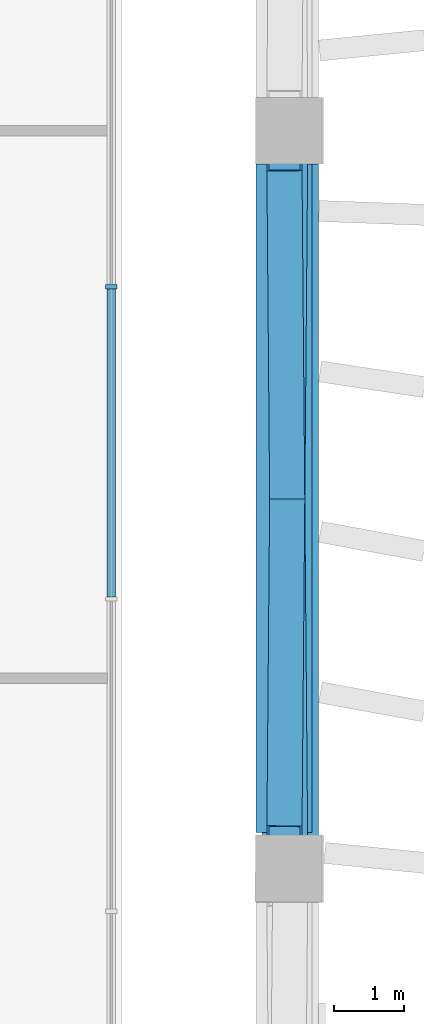
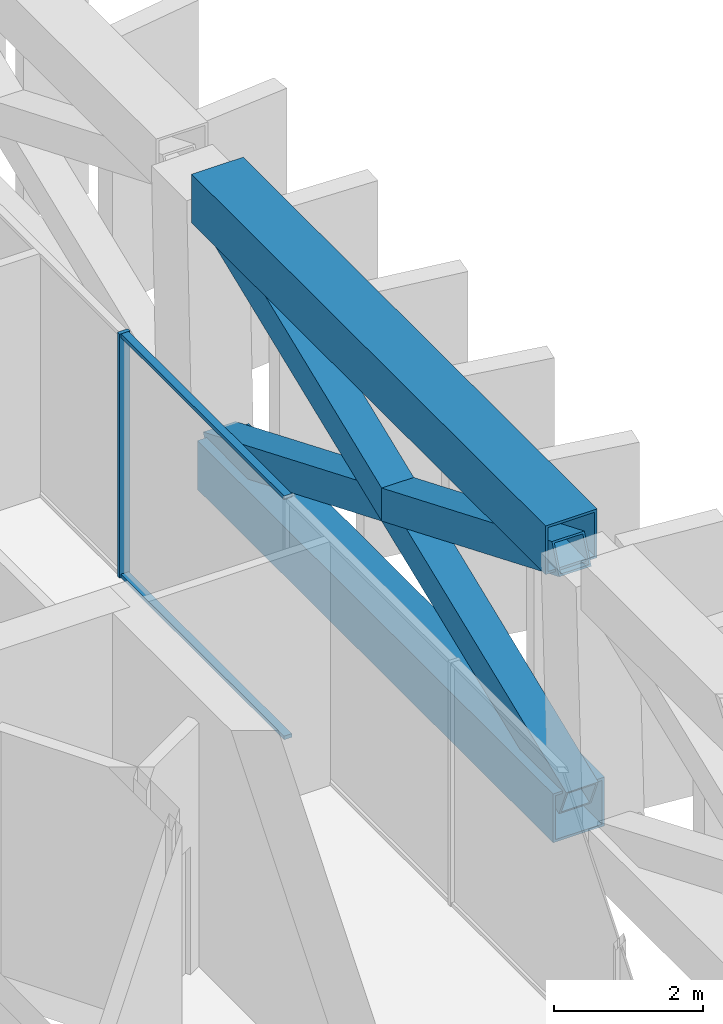
# One storey, part 4 of 15: 7 members, 1 element without a shape of its own.
"""IFC4 building model written with IfcOpenShell, lengths in metres."""

from ifc_helpers import new_model, si_unit, direction, frame, origin, origin_2d, place, context, subcontext, project, spatial, rectangle, hollow_rectangle, extrude, material, layer, layer_set, material_profile, profile_set, type_object, element, aggregate, save


model = new_model("IFC4")

# Units and contexts
model_context = context("Model", 3, precision=1e-05, world=origin(), true_north=direction((0.0, 1.0)))
body_context = subcontext(model_context, "Body", "Model", "MODEL_VIEW")
ifc_project = project(units=[si_unit("LENGTHUNIT", "METRE"), si_unit("AREAUNIT", "SQUARE_METRE"), si_unit("VOLUMEUNIT", "CUBIC_METRE"), si_unit("PLANEANGLEUNIT", "RADIAN"), si_unit("MASSUNIT", "GRAM", prefix="KILO")], contexts=[model_context])

# Site, building, storey
site_placement = place(None, origin())
site = spatial("IfcSite", under=ifc_project, at=site_placement, CompositionType="ELEMENT")
building_placement = place(site_placement, origin())
building = spatial("IfcBuilding", under=site, at=building_placement, Name="Jabali Bay Hotel Tower and Convention Centre", CompositionType="ELEMENT")
storey_placement = place(building_placement, frame((0.0, 0.0, 201.39990234375)))
storey = spatial("IfcBuildingStorey", under=building, at=storey_placement, Name="L49", CompositionType="ELEMENT", Elevation=201.39990234375)

# Members
ifc_material_1 = material(Name="Steel Q420GJC", Category="steel")
ifc_material_profile_1 = material_profile(ifc_material_1, hollow_rectangle(XDim=0.5, YDim=0.5, WallThickness=0.030029296875, at=origin_2d()), Name="Belt brace 500x500x30")
ifc_profile_set_1 = profile_set([ifc_material_profile_1], Name="Steel Q420GJC")
member_type_1 = type_object("IfcMemberType", Name="Belt brace 500x500x30", PredefinedType="BRACE", material=ifc_profile_set_1)
member_1_placement = place(storey_placement, frame((95.585693359375, 69.962890625, 0.198974609375), z_axis=(-0.00779565021, 0.922430320671, 0.38608487583), x_axis=(-0.999964290457, -0.008450905891, 0.0)))
element("IfcMember", 1, at=member_1_placement, inside=storey, type_object=member_type_1, Name="Belt brace T4 F0.2-F0.3 x1", PredefinedType="BRACE", context=body_context, shape_type="SweptSolid", body=[
    extrude(hollow_rectangle(XDim=0.5, YDim=0.5, WallThickness=0.030029296875, at=origin_2d()), origin(), (0.0, 0.0, 1.0), 10.3662109375),
])
member_2_placement = place(storey_placement, frame((95.585693359375, 79.52490234375, 0.19970703125), z_axis=(-0.007828722091, -0.921802461556, 0.387580872826), x_axis=(0.999963937773, -0.008492535111, 0.0)))
element("IfcMember", 2, at=member_2_placement, inside=storey, type_object=member_type_1, Name="Belt brace T4 F0.2-F0.3 x2", PredefinedType="BRACE", context=body_context, shape_type="SweptSolid", body=[
    extrude(hollow_rectangle(XDim=0.5, YDim=0.5, WallThickness=0.030029296875, at=origin_2d()), origin(), (0.0, 0.0, 1.0), 10.322265625),
])
ifc_material_profile_2 = material_profile(ifc_material_1, hollow_rectangle(XDim=0.800048828125, YDim=0.800048828125, WallThickness=0.0400390625, at=origin_2d()), Name="Belt chord 800x800x40")
ifc_profile_set_2 = profile_set([ifc_material_profile_2], Name="Steel Q420GJC")
member_type_2 = type_object("IfcMemberType", Name="Belt chord 800x800x40", PredefinedType="CHORD", material=ifc_profile_set_2)
member_3_placement = place(storey_placement, frame((95.589599609375, 69.962890625, 0.0), z_axis=(0.0, 1.0, 0.0), x_axis=(-1.0, 0.0, 0.0)))
element("IfcMember", 3, at=member_3_placement, inside=storey, type_object=member_type_2, Name="Belt chord T4 F0.2-F0.3", PredefinedType="CHORD", context=body_context, shape_type="SweptSolid", body=[
    extrude(hollow_rectangle(XDim=0.800048828125, YDim=0.800048828125, WallThickness=0.0400390625, at=origin_2d()), origin(), (0.0, 0.0, 1.0), 9.56201171875),
])
member_4_placement = place(storey_placement, frame((95.500732421875, 70.009765625, 4.400146484375), z_axis=(0.0, 1.0, 0.0), x_axis=(-1.0, 0.0, 0.0)))
element("IfcMember", 4, at=member_4_placement, inside=storey, type_object=member_type_2, Name="Belt chord T4 F0.2-F0.3", PredefinedType="CHORD", context=body_context, shape_type="SweptSolid", body=[
    extrude(hollow_rectangle(XDim=0.800048828125, YDim=0.800048828125, WallThickness=0.0400390625, at=origin_2d()), origin(), (0.0, 0.0, 1.0), 9.51513671875),
])

# Curtain wall, members
ifc_material_2 = material(Name="Aluminium and glass", Category="aluminium")
ifc_layer = layer(ifc_material_2, 0.159912109375)
ifc_layer_set = layer_set([ifc_layer], Name="Aluminium and glass")
curtain_wall_type = type_object("IfcCurtainWallType", Name="CW3 curtain wall", PredefinedType="NOTDEFINED", material=ifc_layer_set)
curtain_wall_placement = place(storey_placement, origin())
curtain_wall = element("IfcCurtainWall", 5, at=curtain_wall_placement, inside=storey, type_object=curtain_wall_type, Name="CW3 curtain wall east face L49", PredefinedType="NOTDEFINED")
ifc_material_3 = material(Name="Aluminium", Category="aluminium")
ifc_material_profile_3 = material_profile(ifc_material_3, rectangle(XDim=0.159912109375, YDim=0.06005859375, at=origin_2d()), Name="CW3 mullion 60 x 160")
ifc_profile_set_3 = profile_set([ifc_material_profile_3], Name="Aluminium")
member_type_3 = type_object("IfcMemberType", Name="CW3 mullion 60 x 160", PredefinedType="MULLION", material=ifc_profile_set_3)
member_5_placement = place(storey_placement, frame((93.03955078125, 77.7783203125, 0.0), z_axis=(0.0, 0.0, 1.0), x_axis=(1.0, 0.0, 0.0)))
member_5 = element("IfcMember", 6, at=member_5_placement, type_object=member_type_3, Name="CW3 mullion 7", PredefinedType="MULLION", context=body_context, shape_type="SweptSolid", body=[
    extrude(rectangle(XDim=0.159912109375, YDim=0.06005859375, at=origin_2d()), origin(), (0.0, 0.0, 1.0), 4.0),
])
ifc_material_profile_4 = material_profile(ifc_material_3, rectangle(XDim=0.1201171875, YDim=0.06005859375, at=origin_2d()), Name="CW3 transom 60 x 120")
ifc_profile_set_4 = profile_set([ifc_material_profile_4], Name="Aluminium")
member_type_4 = type_object("IfcMemberType", Name="CW3 transom 60 x 120", PredefinedType="USERDEFINED", material=ifc_profile_set_4)
member_6_placement = place(storey_placement, frame((93.03955078125, 77.748291015625, 0.030029296875), z_axis=(0.0, -1.0, 0.0), x_axis=(1.0, 0.0, 0.0)))
member_6 = element("IfcMember", 7, at=member_6_placement, type_object=member_type_4, Name="CW3 transom 7.1", ObjectType="TRANSOM", PredefinedType="USERDEFINED", context=body_context, shape_type="SweptSolid", body=[
    extrude(rectangle(XDim=0.1201171875, YDim=0.06005859375, at=origin_2d()), origin(), (0.0, 0.0, 1.0), 4.38330078125),
])
member_7_placement = place(storey_placement, frame((93.03955078125, 77.748291015625, 3.97021484375), z_axis=(0.0, -1.0, 0.0), x_axis=(1.0, 0.0, 0.0)))
member_7 = element("IfcMember", 8, at=member_7_placement, type_object=member_type_4, Name="CW3 transom 7.2", ObjectType="TRANSOM", PredefinedType="USERDEFINED", context=body_context, shape_type="SweptSolid", body=[
    extrude(rectangle(XDim=0.1201171875, YDim=0.06005859375, at=origin_2d()), origin(), (0.0, 0.0, 1.0), 4.38330078125),
])
aggregate(curtain_wall, [member_5, member_6, member_7])

save(model, "model.ifc")
